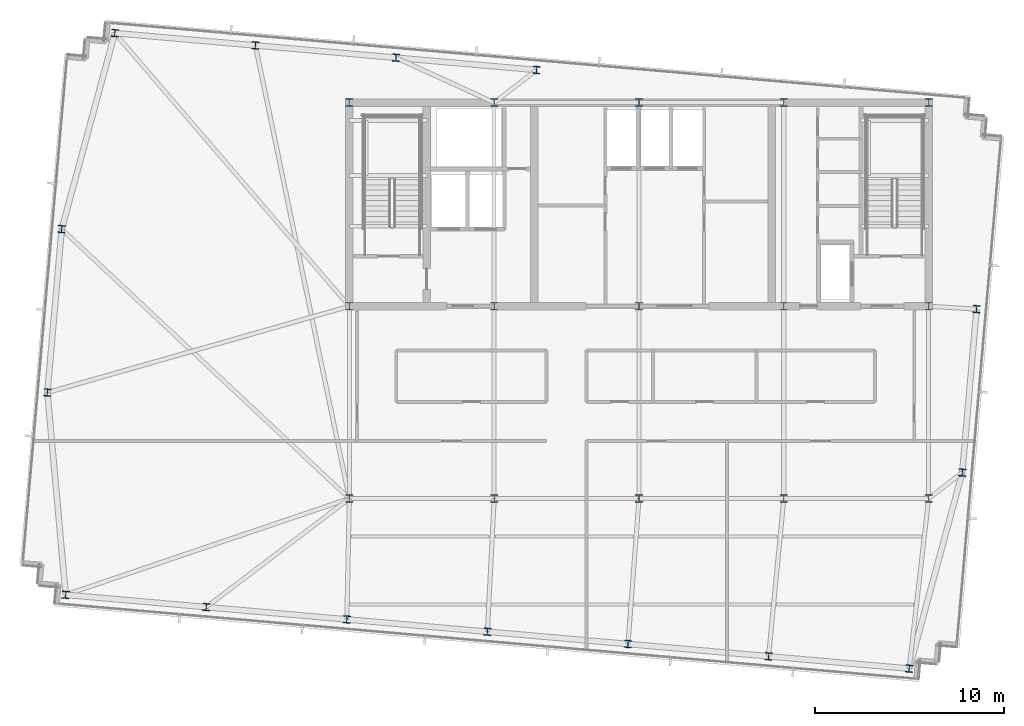
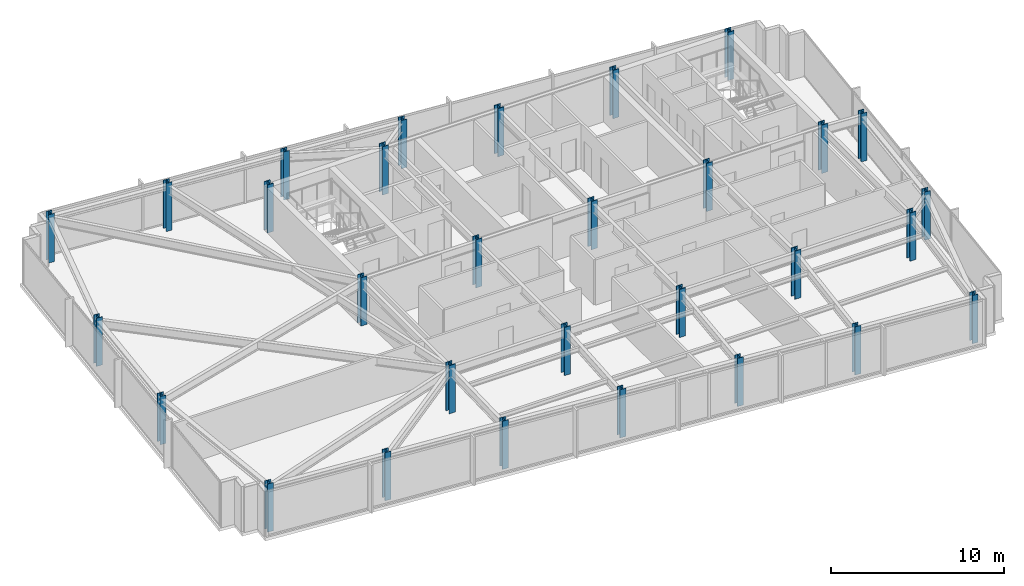
# One storey, part 1 of 32: 30 columns.
"""IFC4 building model written with IfcOpenShell, lengths in metres."""

from ifc_helpers import new_model, si_unit, direction, frame, origin, origin_2d, place, context, subcontext, project, spatial, i_section, extrude, material, material_profile, profile_set, type_object, element, save


model = new_model("IFC4")

# Units and contexts
model_context = context("Model", 3, precision=1e-05, world=origin(), true_north=direction((0.0, 1.0)))
body_context = subcontext(model_context, "Body", "Model", "MODEL_VIEW")
ifc_project = project(units=[si_unit("LENGTHUNIT", "METRE"), si_unit("AREAUNIT", "SQUARE_METRE"), si_unit("VOLUMEUNIT", "CUBIC_METRE"), si_unit("PLANEANGLEUNIT", "RADIAN"), si_unit("MASSUNIT", "GRAM", prefix="KILO")], contexts=[model_context])

# Site, building, storey
site_placement = place(None, origin())
site = spatial("IfcSite", under=ifc_project, at=site_placement, CompositionType="ELEMENT")
building_placement = place(site_placement, origin())
building = spatial("IfcBuilding", under=site, at=building_placement, Name="Yelkora Congress Tower", CompositionType="ELEMENT")
storey_placement = place(building_placement, frame((0.0, 0.0, 272.699951171875)))
storey = spatial("IfcBuildingStorey", under=building, at=storey_placement, Name="L76", CompositionType="ELEMENT", Elevation=272.699951171875)

# Columns
ifc_material_1 = material(Name="Steel S355J2", Category="steel")
ifc_material_profile_1 = material_profile(ifc_material_1, i_section(OverallWidth=0.3779296875, OverallDepth=0.386962890625, WebThickness=0.0205078125, FlangeThickness=0.033203125, FilletRadius=0.014892578125, at=origin_2d()), Name="HD 360x262")
ifc_profile_set_1 = profile_set([ifc_material_profile_1], Name="Steel S355J2")
column_type_1 = type_object("IfcColumnType", Name="COL-HD-262-EXT", PredefinedType="COLUMN", material=ifc_profile_set_1)
for number, where, z_axis, x_axis, name in (
    (1, (7.998046875, 20.097900390625, 0.0), (0.0, 0.0, 1.0), (0.996194698092, -0.087155742748, 0.0), "L76 Perimeter Column S01"),
    (2, (15.452880859375, 19.445556640625, 0.0), (0.0, 0.0, 1.0), (0.996194698092, -0.087155742748, 0.0), "L76 Perimeter Column S02"),
    (3, (22.90771484375, 18.793212890625, 0.0), (0.0, 0.0, 1.0), (0.996194698092, -0.087155742748, 0.0), "L76 Perimeter Column S03"),
    (4, (30.362548828125, 18.14111328125, 0.0), (0.0, 0.0, 1.0), (0.996194698092, -0.087155742748, 0.0), "L76 Perimeter Column S04"),
    (5, (37.8173828125, 17.489013671875, 0.0), (0.0, 0.0, 1.0), (0.996194698092, -0.087155742748, 0.0), "L76 Perimeter Column S05"),
    (6, (45.2724609375, 16.836669921875, 0.0), (0.0, 0.0, 1.0), (0.996194698092, -0.087155742748, 0.0), "L76 Perimeter Column S06"),
    (7, (52.727294921875, 16.1845703125, 0.0), (0.0, 0.0, 1.0), (0.996194698092, -0.087155742748, 0.0), "L76 Perimeter Column S07"),
    (8, (10.60400390625, 49.884033203125, 0.0), (0.0, 0.0, 1.0), (0.996194698092, -0.087155742748, 0.0), "L76 Perimeter Column N01"),
    (9, (18.058837890625, 49.231689453125, 0.0), (0.0, 0.0, 1.0), (0.996194698092, -0.087155742748, 0.0), "L76 Perimeter Column N02"),
    (10, (25.513916015625, 48.57958984375, 0.0), (0.0, 0.0, 1.0), (0.996194698092, -0.087155742748, 0.0), "L76 Perimeter Column N03"),
    (11, (32.968505859375, 47.927490234375, 0.0), (0.0, 0.0, 1.0), (0.996194698092, -0.087155742748, 0.0), "L76 Perimeter Column N04"),
    (12, (7.029052734375, 30.822998046875, 0.0), (0.0, 0.0, 1.0), (0.996194698092, -0.087155742748, 0.0), "L76 Perimeter Column W01"),
    (13, (55.543701171875, 26.57861328125, 0.0), (0.0, 0.0, 1.0), (0.996194698092, -0.087155742748, 0.0), "L76 Perimeter Column E01"),
    (14, (7.787353515625, 39.489990234375, 0.0), (0.0, 0.0, 1.0), (0.996194698092, -0.087155742748, 0.0), "L76 Perimeter Column W02"),
    (15, (56.302001953125, 35.24560546875, 0.0), (0.0, 0.0, 1.0), (0.996194698092, -0.087155742748, 0.0), "L76 Perimeter Column E02"),
):
    element("IfcColumn", number, at=place(storey_placement, frame(where, z_axis=z_axis, x_axis=x_axis)), inside=storey, type_object=column_type_1, Name=name, PredefinedType="COLUMN", context=body_context, shape_type="SweptSolid", body=[
        extrude(i_section(OverallWidth=0.3779296875, OverallDepth=0.386962890625, WebThickness=0.0205078125, FlangeThickness=0.033203125, FilletRadius=0.014892578125, at=origin_2d()), origin(), (0.0, 0.0, 1.0), 3.400146484375),
    ])
ifc_material_2 = material(Name="Steel S460M", Category="steel")
ifc_material_profile_2 = material_profile(ifc_material_2, i_section(OverallWidth=0.406005859375, OverallDepth=0.416015625, WebThickness=0.02978515625, FlangeThickness=0.048095703125, FilletRadius=0.014892578125, at=origin_2d()), Name="HD 400x382")
ifc_profile_set_2 = profile_set([ifc_material_profile_2], Name="Steel S460M")
column_type_2 = type_object("IfcColumnType", Name="COL-HD-382", PredefinedType="COLUMN", material=ifc_profile_set_2)
for number, where, z_axis, x_axis, name in (
    (16, (23.0400390625, 35.39990234375, 0.0), (0.0, 0.0, 1.0), (1.0, 0.0, 0.0), "L76 Mega Column MC-S1"),
    (17, (23.0400390625, 46.199951171875, 0.0), (0.0, 0.0, 1.0), (1.0, 0.0, 0.0), "L76 Mega Column MC-N1"),
    (18, (23.0400390625, 25.199951171875, 0.0), (0.0, 0.0, 1.0), (1.0, 0.0, 0.0), "L76 Mega Column MC-D1"),
    (19, (30.719970703125, 35.39990234375, 0.0), (0.0, 0.0, 1.0), (1.0, 0.0, 0.0), "L76 Mega Column MC-S2"),
    (20, (30.719970703125, 46.199951171875, 0.0), (0.0, 0.0, 1.0), (1.0, 0.0, 0.0), "L76 Mega Column MC-N2"),
    (21, (30.719970703125, 25.199951171875, 0.0), (0.0, 0.0, 1.0), (1.0, 0.0, 0.0), "L76 Mega Column MC-D2"),
    (22, (38.39990234375, 35.39990234375, 0.0), (0.0, 0.0, 1.0), (1.0, 0.0, 0.0), "L76 Mega Column MC-S3"),
    (23, (38.39990234375, 46.199951171875, 0.0), (0.0, 0.0, 1.0), (1.0, 0.0, 0.0), "L76 Mega Column MC-N3"),
    (24, (38.39990234375, 25.199951171875, 0.0), (0.0, 0.0, 1.0), (1.0, 0.0, 0.0), "L76 Mega Column MC-D3"),
    (25, (46.080078125, 35.39990234375, 0.0), (0.0, 0.0, 1.0), (1.0, 0.0, 0.0), "L76 Mega Column MC-S4"),
    (26, (46.080078125, 46.199951171875, 0.0), (0.0, 0.0, 1.0), (1.0, 0.0, 0.0), "L76 Mega Column MC-N4"),
    (27, (46.080078125, 25.199951171875, 0.0), (0.0, 0.0, 1.0), (1.0, 0.0, 0.0), "L76 Mega Column MC-D4"),
    (28, (53.760009765625, 35.39990234375, 0.0), (0.0, 0.0, 1.0), (1.0, 0.0, 0.0), "L76 Mega Column MC-S5"),
    (29, (53.760009765625, 46.199951171875, 0.0), (0.0, 0.0, 1.0), (1.0, 0.0, 0.0), "L76 Mega Column MC-N5"),
    (30, (53.760009765625, 25.199951171875, 0.0), (0.0, 0.0, 1.0), (1.0, 0.0, 0.0), "L76 Mega Column MC-D5"),
):
    element("IfcColumn", number, at=place(storey_placement, frame(where, z_axis=z_axis, x_axis=x_axis)), inside=storey, type_object=column_type_2, Name=name, PredefinedType="COLUMN", context=body_context, shape_type="SweptSolid", body=[
        extrude(i_section(OverallWidth=0.406005859375, OverallDepth=0.416015625, WebThickness=0.02978515625, FlangeThickness=0.048095703125, FilletRadius=0.014892578125, at=origin_2d()), origin(), (0.0, 0.0, 1.0), 3.400146484375),
    ])

save(model, "model.ifc")
